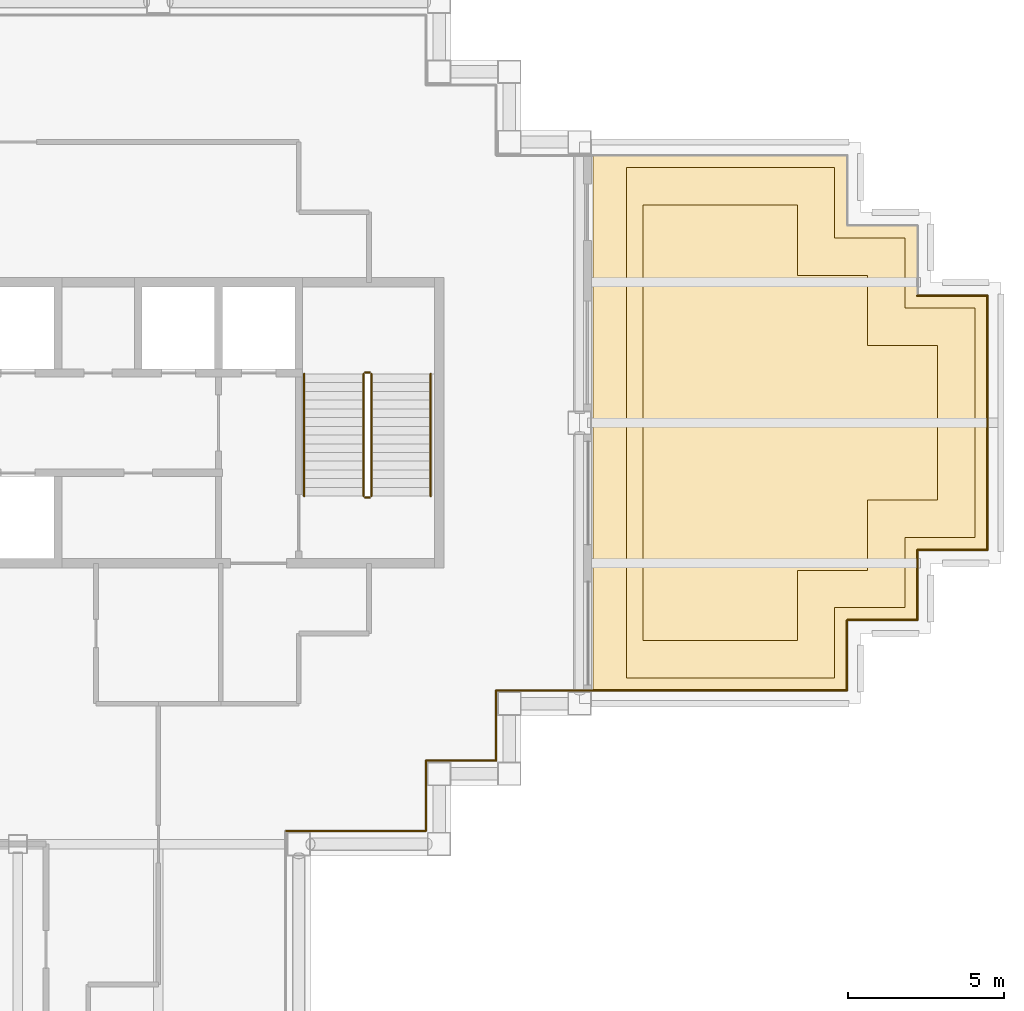
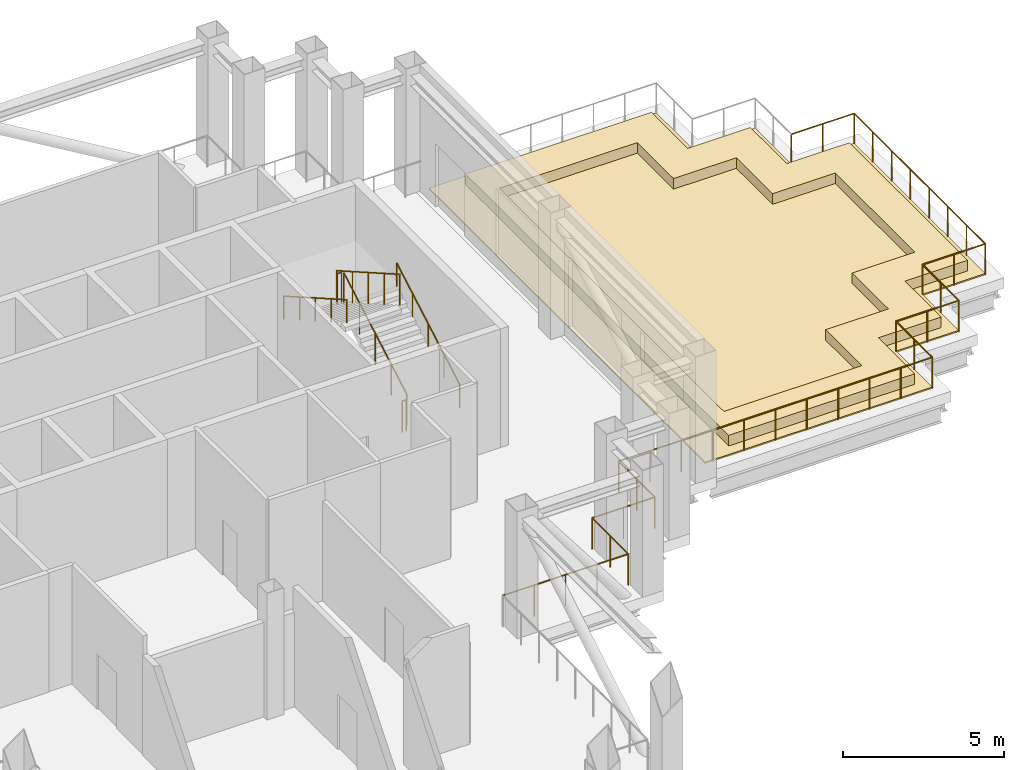
# One storey, part 9 of 10: 17 railings, 3 coverings.
"""IFC4 building model written with IfcOpenShell, lengths in metres."""

from ifc_helpers import new_model, si_unit, direction, frame, origin, origin_2d, place, context, subcontext, project, spatial, polyline, circle, outline, extrude, material, layer, layer_set, type_object, element, save


model = new_model("IFC4")

# Units and contexts
model_context = context("Model", 3, precision=1e-05, world=origin(), true_north=direction((0.0, 1.0)))
body_context = subcontext(model_context, "Body", "Model", "MODEL_VIEW")
ifc_project = project(units=[si_unit("LENGTHUNIT", "METRE"), si_unit("AREAUNIT", "SQUARE_METRE"), si_unit("VOLUMEUNIT", "CUBIC_METRE"), si_unit("PLANEANGLEUNIT", "RADIAN"), si_unit("MASSUNIT", "GRAM", prefix="KILO")], contexts=[model_context])

# Site, building, storey
site_placement = place(None, origin())
site = spatial("IfcSite", under=ifc_project, at=site_placement, CompositionType="ELEMENT")
building_placement = place(site_placement, origin())
building = spatial("IfcBuilding", under=site, at=building_placement, Name="Caravel Reach Hotel and Residences", CompositionType="ELEMENT")
storey_placement = place(building_placement, frame((0.0, 0.0, 187.60009765625)))
storey = spatial("IfcBuildingStorey", under=building, at=storey_placement, Name="L47", CompositionType="ELEMENT", Elevation=187.60009765625)

# Railings
ifc_material_1 = material(Name="Stainless steel S30408", Category="steel")
railing_type_1 = type_object("IfcRailingType", Name="G1 Guard 1200 stainless", PredefinedType="GUARDRAIL", material=ifc_material_1)
railing_1_placement = place(storey_placement, frame((46.824951171875, 18.425048828125, 0.0)))
element("IfcRailing", 1, at=railing_1_placement, inside=storey, type_object=railing_type_1, Name="Guard L47 1 run 1", PredefinedType="GUARDRAIL", context=body_context, shape_type="SweptSolid", body=[
    extrude(circle(Radius=0.02392578125, at=origin_2d()), frame((0.0, 0.0, 1.17578125), z_axis=(1.0, 0.0, 0.0), x_axis=(0.0, 1.0, 0.0)), (0.0, 0.0, 1.0), 11.25),
    extrude(circle(Radius=0.02099609375, at=origin_2d()), origin(), (0.0, 0.0, 1.0), 1.15185546875),
    extrude(circle(Radius=0.02099609375, at=origin_2d()), frame((1.125, 0.0, 0.0)), (0.0, 0.0, 1.0), 1.15185546875),
    extrude(circle(Radius=0.02099609375, at=origin_2d()), frame((2.25, 0.0, 0.0)), (0.0, 0.0, 1.0), 1.15185546875),
    extrude(circle(Radius=0.02099609375, at=origin_2d()), frame((3.375, 0.0, 0.0)), (0.0, 0.0, 1.0), 1.15185546875),
    extrude(circle(Radius=0.02099609375, at=origin_2d()), frame((4.5, 0.0, 0.0)), (0.0, 0.0, 1.0), 1.15185546875),
    extrude(circle(Radius=0.02099609375, at=origin_2d()), frame((5.625, 0.0, 0.0)), (0.0, 0.0, 1.0), 1.15185546875),
    extrude(circle(Radius=0.02099609375, at=origin_2d()), frame((6.75, 0.0, 0.0)), (0.0, 0.0, 1.0), 1.15185546875),
    extrude(circle(Radius=0.02099609375, at=origin_2d()), frame((7.875, 0.0, 0.0)), (0.0, 0.0, 1.0), 1.15185546875),
    extrude(circle(Radius=0.02099609375, at=origin_2d()), frame((9.0, 0.0, 0.0)), (0.0, 0.0, 1.0), 1.15185546875),
    extrude(circle(Radius=0.02099609375, at=origin_2d()), frame((10.125, 0.0, 0.0)), (0.0, 0.0, 1.0), 1.15185546875),
    extrude(circle(Radius=0.02099609375, at=origin_2d()), frame((11.25, 0.0, 0.0)), (0.0, 0.0, 1.0), 1.15185546875),
])
railing_2_placement = place(storey_placement, frame((58.074951171875, 18.425048828125, 0.0)))
element("IfcRailing", 2, at=railing_2_placement, inside=storey, type_object=railing_type_1, Name="Guard L47 1 run 2", PredefinedType="GUARDRAIL", context=body_context, shape_type="SweptSolid", body=[
    extrude(circle(Radius=0.02392578125, at=origin_2d()), frame((0.0, 0.0, 1.17578125), z_axis=(0.0, 1.0, 0.0), x_axis=(-1.0, 0.0, 0.0)), (0.0, 0.0, 1.0), 2.25),
    extrude(circle(Radius=0.02099609375, at=origin_2d()), frame((0.0, 1.125, 0.0)), (0.0, 0.0, 1.0), 1.15185546875),
    extrude(circle(Radius=0.02099609375, at=origin_2d()), frame((0.0, 2.25, 0.0)), (0.0, 0.0, 1.0), 1.15185546875),
])
railing_3_placement = place(storey_placement, frame((58.074951171875, 20.675048828125, 0.0)))
element("IfcRailing", 3, at=railing_3_placement, inside=storey, type_object=railing_type_1, Name="Guard L47 1 run 3", PredefinedType="GUARDRAIL", context=body_context, shape_type="SweptSolid", body=[
    extrude(circle(Radius=0.02392578125, at=origin_2d()), frame((0.0, 0.0, 1.17578125), z_axis=(1.0, 0.0, 0.0), x_axis=(0.0, 1.0, 0.0)), (0.0, 0.0, 1.0), 2.25),
    extrude(circle(Radius=0.02099609375, at=origin_2d()), frame((1.125, 0.0, 0.0)), (0.0, 0.0, 1.0), 1.15185546875),
    extrude(circle(Radius=0.02099609375, at=origin_2d()), frame((2.25, 0.0, 0.0)), (0.0, 0.0, 1.0), 1.15185546875),
])
railing_4_placement = place(storey_placement, frame((60.324951171875, 20.675048828125, 0.0)))
element("IfcRailing", 4, at=railing_4_placement, inside=storey, type_object=railing_type_1, Name="Guard L47 1 run 4", PredefinedType="GUARDRAIL", context=body_context, shape_type="SweptSolid", body=[
    extrude(circle(Radius=0.02392578125, at=origin_2d()), frame((0.0, 0.0, 1.17578125), z_axis=(0.0, 1.0, 0.0), x_axis=(-1.0, 0.0, 0.0)), (0.0, 0.0, 1.0), 2.25),
    extrude(circle(Radius=0.02099609375, at=origin_2d()), frame((0.0, 1.125, 0.0)), (0.0, 0.0, 1.0), 1.15185546875),
    extrude(circle(Radius=0.02099609375, at=origin_2d()), frame((0.0, 2.25, 0.0)), (0.0, 0.0, 1.0), 1.15185546875),
])
railing_5_placement = place(storey_placement, frame((60.324951171875, 22.925048828125, 0.0)))
element("IfcRailing", 5, at=railing_5_placement, inside=storey, type_object=railing_type_1, Name="Guard L47 1 run 5", PredefinedType="GUARDRAIL", context=body_context, shape_type="SweptSolid", body=[
    extrude(circle(Radius=0.02392578125, at=origin_2d()), frame((0.0, 0.0, 1.17578125), z_axis=(1.0, 0.0, 0.0), x_axis=(0.0, 1.0, 0.0)), (0.0, 0.0, 1.0), 2.25),
    extrude(circle(Radius=0.02099609375, at=origin_2d()), frame((1.125, 0.0, 0.0)), (0.0, 0.0, 1.0), 1.15185546875),
    extrude(circle(Radius=0.02099609375, at=origin_2d()), frame((2.25, 0.0, 0.0)), (0.0, 0.0, 1.0), 1.15185546875),
])
railing_6_placement = place(storey_placement, frame((62.574951171875, 22.925048828125, 0.0)))
element("IfcRailing", 6, at=railing_6_placement, inside=storey, type_object=railing_type_1, Name="Guard L47 1 run 6", PredefinedType="GUARDRAIL", context=body_context, shape_type="SweptSolid", body=[
    extrude(circle(Radius=0.02392578125, at=origin_2d()), frame((0.0, 0.0, 1.17578125), z_axis=(0.0, 1.0, 0.0), x_axis=(-1.0, 0.0, 0.0)), (0.0, 0.0, 1.0), 8.14990234375),
    extrude(circle(Radius=0.02099609375, at=origin_2d()), frame((0.0, 1.164306640625, 0.0)), (0.0, 0.0, 1.0), 1.15185546875),
    extrude(circle(Radius=0.02099609375, at=origin_2d()), frame((0.0, 2.32861328125, 0.0)), (0.0, 0.0, 1.0), 1.15185546875),
    extrude(circle(Radius=0.02099609375, at=origin_2d()), frame((0.0, 3.492919921875, 0.0)), (0.0, 0.0, 1.0), 1.15185546875),
    extrude(circle(Radius=0.02099609375, at=origin_2d()), frame((0.0, 4.656982421875, 0.0)), (0.0, 0.0, 1.0), 1.15185546875),
    extrude(circle(Radius=0.02099609375, at=origin_2d()), frame((0.0, 5.8212890625, 0.0)), (0.0, 0.0, 1.0), 1.15185546875),
    extrude(circle(Radius=0.02099609375, at=origin_2d()), frame((0.0, 6.985595703125, 0.0)), (0.0, 0.0, 1.0), 1.15185546875),
    extrude(circle(Radius=0.02099609375, at=origin_2d()), frame((0.0, 8.14990234375, 0.0)), (0.0, 0.0, 1.0), 1.15185546875),
])
railing_7_placement = place(storey_placement, frame((62.574951171875, 31.074951171875, 0.0)))
element("IfcRailing", 7, at=railing_7_placement, inside=storey, type_object=railing_type_1, Name="Guard L47 1 run 7", PredefinedType="GUARDRAIL", context=body_context, shape_type="SweptSolid", body=[
    extrude(circle(Radius=0.02392578125, at=origin_2d()), frame((0.0, 0.0, 1.17578125), z_axis=(-1.0, 0.0, 0.0), x_axis=(0.0, -1.0, 0.0)), (0.0, 0.0, 1.0), 2.25),
    extrude(circle(Radius=0.02099609375, at=origin_2d()), frame((-1.125, 0.0, 0.0)), (0.0, 0.0, 1.0), 1.15185546875),
    extrude(circle(Radius=0.02099609375, at=origin_2d()), frame((-2.25, 0.0, 0.0)), (0.0, 0.0, 1.0), 1.15185546875),
])
railing_8_placement = place(storey_placement, frame((40.074951171875, 13.925048828125, 0.0)))
element("IfcRailing", 8, at=railing_8_placement, inside=storey, type_object=railing_type_1, Name="Guard L47 1 run 45", PredefinedType="GUARDRAIL", context=body_context, shape_type="SweptSolid", body=[
    extrude(circle(Radius=0.02392578125, at=origin_2d()), frame((0.0, 0.0, 1.17578125), z_axis=(1.0, 0.0, 0.0), x_axis=(0.0, 1.0, 0.0)), (0.0, 0.0, 1.0), 4.5),
    extrude(circle(Radius=0.02099609375, at=origin_2d()), frame((1.125, 0.0, 0.0)), (0.0, 0.0, 1.0), 1.15185546875),
    extrude(circle(Radius=0.02099609375, at=origin_2d()), frame((2.25, 0.0, 0.0)), (0.0, 0.0, 1.0), 1.15185546875),
    extrude(circle(Radius=0.02099609375, at=origin_2d()), frame((3.375, 0.0, 0.0)), (0.0, 0.0, 1.0), 1.15185546875),
    extrude(circle(Radius=0.02099609375, at=origin_2d()), frame((4.5, 0.0, 0.0)), (0.0, 0.0, 1.0), 1.15185546875),
])
railing_9_placement = place(storey_placement, frame((44.574951171875, 13.925048828125, 0.0)))
element("IfcRailing", 9, at=railing_9_placement, inside=storey, type_object=railing_type_1, Name="Guard L47 1 run 46", PredefinedType="GUARDRAIL", context=body_context, shape_type="SweptSolid", body=[
    extrude(circle(Radius=0.02392578125, at=origin_2d()), frame((0.0, 0.0, 1.17578125), z_axis=(0.0, 1.0, 0.0), x_axis=(-1.0, 0.0, 0.0)), (0.0, 0.0, 1.0), 2.25),
    extrude(circle(Radius=0.02099609375, at=origin_2d()), frame((0.0, 1.125, 0.0)), (0.0, 0.0, 1.0), 1.15185546875),
    extrude(circle(Radius=0.02099609375, at=origin_2d()), frame((0.0, 2.25, 0.0)), (0.0, 0.0, 1.0), 1.15185546875),
])
railing_10_placement = place(storey_placement, frame((44.574951171875, 16.175048828125, 0.0)))
element("IfcRailing", 10, at=railing_10_placement, inside=storey, type_object=railing_type_1, Name="Guard L47 1 run 47", PredefinedType="GUARDRAIL", context=body_context, shape_type="SweptSolid", body=[
    extrude(circle(Radius=0.02392578125, at=origin_2d()), frame((0.0, 0.0, 1.17578125), z_axis=(1.0, 0.0, 0.0), x_axis=(0.0, 1.0, 0.0)), (0.0, 0.0, 1.0), 2.25),
    extrude(circle(Radius=0.02099609375, at=origin_2d()), frame((1.125, 0.0, 0.0)), (0.0, 0.0, 1.0), 1.15185546875),
    extrude(circle(Radius=0.02099609375, at=origin_2d()), frame((2.25, 0.0, 0.0)), (0.0, 0.0, 1.0), 1.15185546875),
])
railing_11_placement = place(storey_placement, frame((46.824951171875, 16.175048828125, 0.0)))
element("IfcRailing", 11, at=railing_11_placement, inside=storey, type_object=railing_type_1, Name="Guard L47 1 run 48", PredefinedType="GUARDRAIL", context=body_context, shape_type="SweptSolid", body=[
    extrude(circle(Radius=0.02392578125, at=origin_2d()), frame((0.0, 0.0, 1.17578125), z_axis=(0.0, 1.0, 0.0), x_axis=(-1.0, 0.0, 0.0)), (0.0, 0.0, 1.0), 2.25),
    extrude(circle(Radius=0.02099609375, at=origin_2d()), frame((0.0, 1.125, 0.0)), (0.0, 0.0, 1.0), 1.15185546875),
])
ifc_material_2 = material(Name="Steel balustrade with glass infill", Category="steel")
railing_type_2 = type_object("IfcRailingType", Name="Guard 1200", PredefinedType="GUARDRAIL", material=ifc_material_2)
railing_12_placement = place(storey_placement, frame((42.824951171875, 24.64990234375, 0.159912109375)))
element("IfcRailing", 12, at=railing_12_placement, inside=storey, type_object=railing_type_2, Name="L47 ST-B stair guard 1", PredefinedType="GUARDRAIL", context=body_context, shape_type="SweptSolid", body=[
    extrude(circle(Radius=0.02392578125, at=origin_2d()), frame((0.0, 0.0, 1.17578125), z_axis=(0.0, 0.86825312469, 0.496121468458), x_axis=(-1.0, 0.0, 0.0)), (0.0, 0.0, 1.0), 4.514892578125),
    extrude(circle(Radius=0.02099609375, at=origin_2d()), origin(), (0.0, 0.0, 1.0), 1.15185546875),
    extrude(circle(Radius=0.02099609375, at=origin_2d()), frame((0.0, 0.97998046875, 0.56005859375)), (0.0, 0.0, 1.0), 1.15185546875),
    extrude(circle(Radius=0.02099609375, at=origin_2d()), frame((0.0, 1.9599609375, 1.1201171875)), (0.0, 0.0, 1.0), 1.15185546875),
    extrude(circle(Radius=0.02099609375, at=origin_2d()), frame((0.0, 2.940185546875, 1.679931640625)), (0.0, 0.0, 1.0), 1.15185546875),
    extrude(circle(Radius=0.02099609375, at=origin_2d()), frame((0.0, 3.920166015625, 2.239990234375)), (0.0, 0.0, 1.0), 1.15185546875),
])
railing_13_placement = place(storey_placement, frame((42.77490234375, 28.6201171875, 2.39990234375)))
element("IfcRailing", 13, at=railing_13_placement, inside=storey, type_object=railing_type_2, Name="L47 ST-B stair guard 2", PredefinedType="GUARDRAIL", context=body_context, shape_type="SweptSolid", body=[
    extrude(circle(Radius=0.02392578125, at=origin_2d()), frame((0.0, 0.0, 1.17578125), z_axis=(-1.0, 0.0, 0.0), x_axis=(0.0, -1.0, 0.0)), (0.0, 0.0, 1.0), 0.14990234375),
    extrude(circle(Radius=0.02099609375, at=origin_2d()), origin(), (0.0, 0.0, 1.0), 1.15185546875),
    extrude(circle(Radius=0.02099609375, at=origin_2d()), frame((-0.14990234375, 0.0, 0.0)), (0.0, 0.0, 1.0), 1.15185546875),
])
railing_14_placement = place(storey_placement, frame((42.574951171875, 28.570068359375, 2.559814453125)))
element("IfcRailing", 14, at=railing_14_placement, inside=storey, type_object=railing_type_2, Name="L47 ST-B stair guard 3", PredefinedType="GUARDRAIL", context=body_context, shape_type="SweptSolid", body=[
    extrude(circle(Radius=0.02392578125, at=origin_2d()), frame((0.0, 0.0, 1.17578125), z_axis=(0.0, -0.86825312469, 0.496121468458), x_axis=(1.0, 0.0, 0.0)), (0.0, 0.0, 1.0), 4.514892578125),
    extrude(circle(Radius=0.02099609375, at=origin_2d()), origin(), (0.0, 0.0, 1.0), 1.15185546875),
    extrude(circle(Radius=0.02099609375, at=origin_2d()), frame((0.0, -0.97998046875, 0.56005859375)), (0.0, 0.0, 1.0), 1.15185546875),
    extrude(circle(Radius=0.02099609375, at=origin_2d()), frame((0.0, -1.9599609375, 1.1201171875)), (0.0, 0.0, 1.0), 1.15185546875),
    extrude(circle(Radius=0.02099609375, at=origin_2d()), frame((0.0, -2.940185546875, 1.679931640625)), (0.0, 0.0, 1.0), 1.15185546875),
    extrude(circle(Radius=0.02099609375, at=origin_2d()), frame((0.0, -3.920166015625, 2.239990234375)), (0.0, 0.0, 1.0), 1.15185546875),
])
railing_15_placement = place(storey_placement, frame((42.77490234375, 24.60009765625, 0.0)))
element("IfcRailing", 15, at=railing_15_placement, inside=storey, type_object=railing_type_2, Name="L47 ST-B stair guard 4", PredefinedType="GUARDRAIL", context=body_context, shape_type="SweptSolid", body=[
    extrude(circle(Radius=0.02392578125, at=origin_2d()), frame((0.0, 0.0, 1.17578125), z_axis=(-1.0, 0.0, 0.0), x_axis=(0.0, -1.0, 0.0)), (0.0, 0.0, 1.0), 0.14990234375),
    extrude(circle(Radius=0.02099609375, at=origin_2d()), origin(), (0.0, 0.0, 1.0), 1.15185546875),
    extrude(circle(Radius=0.02099609375, at=origin_2d()), frame((-0.14990234375, 0.0, 0.0)), (0.0, 0.0, 1.0), 1.15185546875),
])
ifc_material_3 = material(Name="Stainless steel handrail", Category="steel")
railing_type_3 = type_object("IfcRailingType", Name="Handrail 900", PredefinedType="HANDRAIL", material=ifc_material_3)
railing_16_placement = place(storey_placement, frame((44.72509765625, 24.64990234375, 0.159912109375)))
element("IfcRailing", 16, at=railing_16_placement, inside=storey, type_object=railing_type_3, Name="L47 ST-B stair handrail 1", PredefinedType="HANDRAIL", context=body_context, shape_type="SweptSolid", body=[
    extrude(circle(Radius=0.02392578125, at=origin_2d()), frame((0.0, 0.0, 0.8759765625), z_axis=(0.0, 0.86825312469, 0.496121468458), x_axis=(-1.0, 0.0, 0.0)), (0.0, 0.0, 1.0), 4.514892578125),
    extrude(circle(Radius=0.02099609375, at=origin_2d()), origin(), (0.0, 0.0, 1.0), 0.851806640625),
    extrude(circle(Radius=0.02099609375, at=origin_2d()), frame((0.0, 0.97998046875, 0.56005859375)), (0.0, 0.0, 1.0), 0.851806640625),
    extrude(circle(Radius=0.02099609375, at=origin_2d()), frame((0.0, 1.9599609375, 1.1201171875)), (0.0, 0.0, 1.0), 0.851806640625),
    extrude(circle(Radius=0.02099609375, at=origin_2d()), frame((0.0, 2.940185546875, 1.679931640625)), (0.0, 0.0, 1.0), 0.851806640625),
    extrude(circle(Radius=0.02099609375, at=origin_2d()), frame((0.0, 3.920166015625, 2.239990234375)), (0.0, 0.0, 1.0), 0.851806640625),
])
railing_17_placement = place(storey_placement, frame((40.675048828125, 28.570068359375, 2.559814453125)))
element("IfcRailing", 17, at=railing_17_placement, inside=storey, type_object=railing_type_3, Name="L47 ST-B stair handrail 2", PredefinedType="HANDRAIL", context=body_context, shape_type="SweptSolid", body=[
    extrude(circle(Radius=0.02392578125, at=origin_2d()), frame((0.0, 0.0, 0.8759765625), z_axis=(0.0, -0.86825312469, 0.496121468458), x_axis=(1.0, 0.0, 0.0)), (0.0, 0.0, 1.0), 4.514892578125),
    extrude(circle(Radius=0.02099609375, at=origin_2d()), origin(), (0.0, 0.0, 1.0), 0.851806640625),
    extrude(circle(Radius=0.02099609375, at=origin_2d()), frame((0.0, -0.97998046875, 0.56005859375)), (0.0, 0.0, 1.0), 0.851806640625),
    extrude(circle(Radius=0.02099609375, at=origin_2d()), frame((0.0, -1.9599609375, 1.1201171875)), (0.0, 0.0, 1.0), 0.851806640625),
    extrude(circle(Radius=0.02099609375, at=origin_2d()), frame((0.0, -2.940185546875, 1.679931640625)), (0.0, 0.0, 1.0), 0.851806640625),
    extrude(circle(Radius=0.02099609375, at=origin_2d()), frame((0.0, -3.920166015625, 2.239990234375)), (0.0, 0.0, 1.0), 0.851806640625),
])

# Coverings
ifc_material_4 = material(Name="Planting soil in aluminium planter", Category="aluminium")
covering_type_1 = type_object("IfcCoveringType", Name="PL1 Planter bed 1200", PredefinedType="USERDEFINED", material=ifc_material_4)
covering_1_placement = place(storey_placement, origin())
element("IfcCovering", 18, at=covering_1_placement, inside=storey, type_object=covering_type_1, Name="Planter E1", ObjectType="PLANTER", PredefinedType="USERDEFINED", context=body_context, shape_type="SweptSolid", body=[
    extrude(outline(polyline([(59.925048828125, 32.925048828125), (57.675048828125, 32.925048828125), (57.675048828125, 35.175048828125), (51.0, 35.175048828125), (51.0, 18.824951171875), (57.675048828125, 18.824951171875), (57.675048828125, 21.074951171875), (59.925048828125, 21.074951171875), (59.925048828125, 23.324951171875), (62.175048828125, 23.324951171875), (62.175048828125, 30.675048828125), (59.925048828125, 30.675048828125), (59.925048828125, 32.925048828125)]), holes=[polyline([(51.52490234375, 20.02490234375), (51.52490234375, 33.97509765625), (56.47509765625, 33.97509765625), (56.47509765625, 31.72509765625), (58.72509765625, 31.72509765625), (58.72509765625, 29.47509765625), (60.97509765625, 29.47509765625), (60.97509765625, 24.52490234375), (58.72509765625, 24.52490234375), (58.72509765625, 22.27490234375), (56.47509765625, 22.27490234375), (56.47509765625, 20.02490234375), (51.52490234375, 20.02490234375)])]), origin(), (0.0, 0.0, 1.0), 0.449951171875),
])
ifc_material_5 = material(Name="Porcelain paving")
ifc_layer = layer(ifc_material_5, 0.050048828125)
ifc_layer_set = layer_set([ifc_layer], Name="TF1 Terrace paving finish 50")
covering_type_2 = type_object("IfcCoveringType", Name="TF1 Terrace paving finish 50", PredefinedType="FLOORING", material=ifc_layer_set)
covering_2_placement = place(storey_placement, origin())
element("IfcCovering", 19, at=covering_2_placement, inside=storey, type_object=covering_type_2, Name="Terrace paving E1", PredefinedType="FLOORING", context=body_context, shape_type="SweptSolid", body=[
    extrude(outline(polyline([(58.074951171875, 33.324951171875), (58.074951171875, 35.574951171875), (49.925048828125, 35.574951171875), (49.925048828125, 18.425048828125), (58.074951171875, 18.425048828125), (58.074951171875, 20.675048828125), (60.324951171875, 20.675048828125), (60.324951171875, 22.925048828125), (62.574951171875, 22.925048828125), (62.574951171875, 31.074951171875), (60.324951171875, 31.074951171875), (60.324951171875, 33.324951171875), (58.074951171875, 33.324951171875)]), holes=[polyline([(57.675048828125, 32.925048828125), (59.925048828125, 32.925048828125), (59.925048828125, 30.675048828125), (62.175048828125, 30.675048828125), (62.175048828125, 23.324951171875), (59.925048828125, 23.324951171875), (59.925048828125, 21.074951171875), (57.675048828125, 21.074951171875), (57.675048828125, 18.824951171875), (51.0, 18.824951171875), (51.0, 35.175048828125), (57.675048828125, 35.175048828125), (57.675048828125, 32.925048828125)])]), origin(), (0.0, 0.0, 1.0), 0.0498046875),
])
covering_3_placement = place(storey_placement, origin())
element("IfcCovering", 20, at=covering_3_placement, inside=storey, type_object=covering_type_2, Name="Terrace paving E2", PredefinedType="FLOORING", context=body_context, shape_type="SweptSolid", body=[
    extrude(outline(polyline([(51.52490234375, 33.97509765625), (51.52490234375, 20.02490234375), (56.47509765625, 20.02490234375), (56.47509765625, 22.27490234375), (58.72509765625, 22.27490234375), (58.72509765625, 24.52490234375), (60.97509765625, 24.52490234375), (60.97509765625, 29.47509765625), (58.72509765625, 29.47509765625), (58.72509765625, 31.72509765625), (56.47509765625, 31.72509765625), (56.47509765625, 33.97509765625), (51.52490234375, 33.97509765625)])), origin(), (0.0, 0.0, 1.0), 0.0498046875),
])

save(model, "model.ifc")
